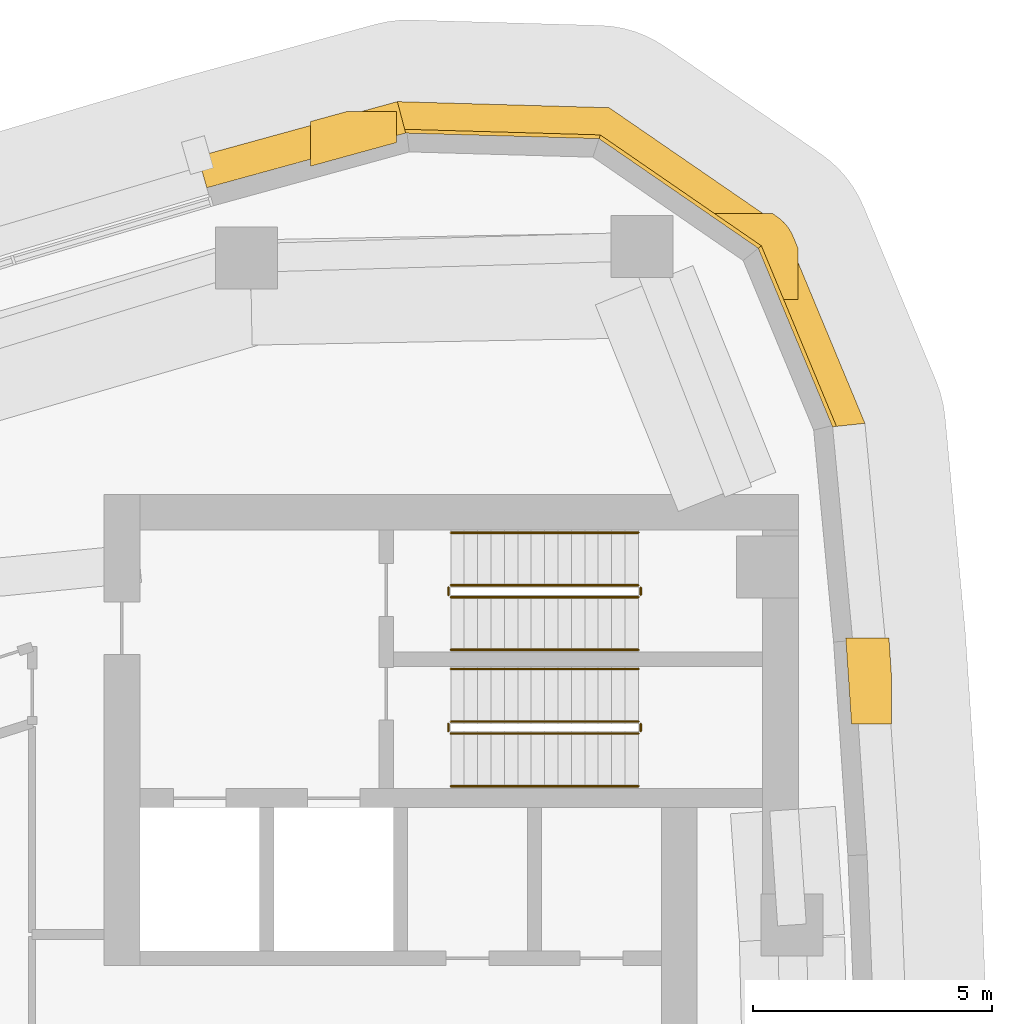
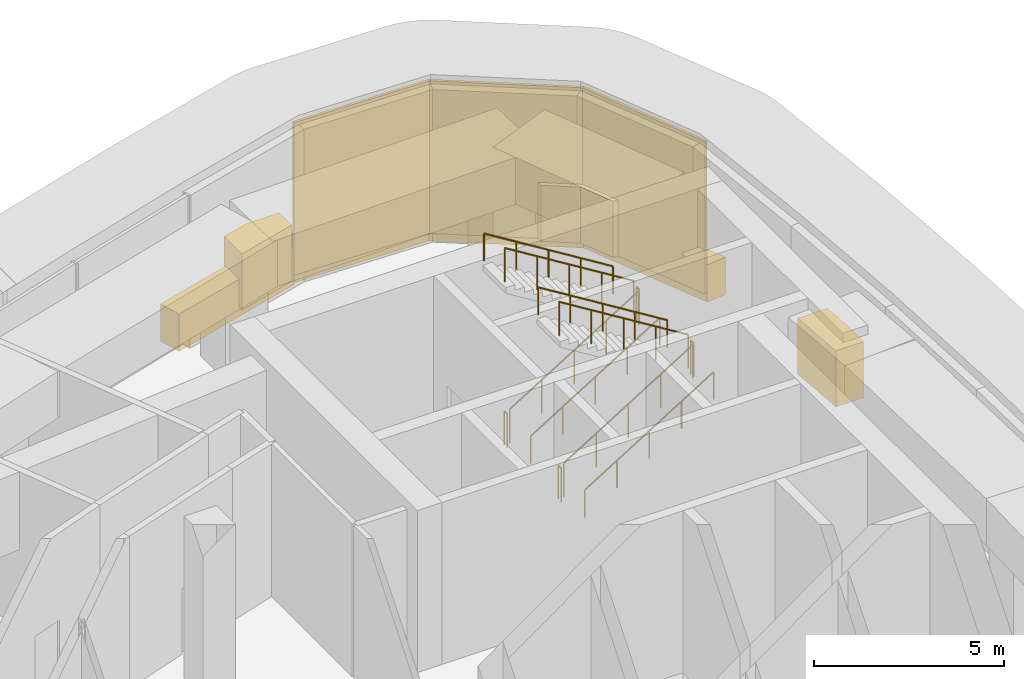
# One storey, part 17 of 17: 12 railings, 8 coverings.
"""IFC4 building model written with IfcOpenShell, lengths in metres."""

from ifc_helpers import new_model, si_unit, direction, frame, origin, origin_2d, place, context, subcontext, project, spatial, polyline, circle, outline, extrude, material, layer, layer_set, type_object, element, save


model = new_model("IFC4")

# Units and contexts
model_context = context("Model", 3, precision=1e-05, world=origin(), true_north=direction((0.0, 1.0)))
body_context = subcontext(model_context, "Body", "Model", "MODEL_VIEW")
ifc_project = project(units=[si_unit("LENGTHUNIT", "METRE"), si_unit("AREAUNIT", "SQUARE_METRE"), si_unit("VOLUMEUNIT", "CUBIC_METRE"), si_unit("PLANEANGLEUNIT", "RADIAN"), si_unit("MASSUNIT", "GRAM", prefix="KILO")], contexts=[model_context])

# Site, building, storey
site_placement = place(None, origin())
site = spatial("IfcSite", under=ifc_project, at=site_placement, CompositionType="ELEMENT")
building_placement = place(site_placement, origin())
building = spatial("IfcBuilding", under=site, at=building_placement, Name="Ostrand Prow Hotel Tower", CompositionType="ELEMENT")
storey_placement = place(building_placement, frame((0.0, 0.0, 211.0)))
storey = spatial("IfcBuildingStorey", under=building, at=storey_placement, Name="L53", CompositionType="ELEMENT", Elevation=211.0)

# Coverings
ifc_material_1 = material(Name="Limestone cladding", Category="masonry")
ifc_layer_1 = layer(ifc_material_1, 2.0)
ifc_layer_set_1 = layer_set([ifc_layer_1], Name="Limestone cladding")
covering_type_1 = type_object("IfcCoveringType", Name="Belt lip limestone", PredefinedType="CLADDING", material=ifc_layer_set_1)
covering_1_placement = place(storey_placement, origin())
element("IfcCovering", 1, at=covering_1_placement, inside=storey, type_object=covering_type_1, Name="Belt fin 12 L53", PredefinedType="CLADDING", context=body_context, shape_type="SweptSolid", body=[
    extrude(outline(polyline([(66.358154296875, 13.49365234375), (66.35791015625, 13.498046875), (65.4541015625, 13.498046875), (65.460205078125, 13.433349609375), (65.576416015625, 11.697998046875), (66.416259765625, 11.697998046875), (66.416259765625, 12.628173828125), (66.358154296875, 13.49365234375)])), origin(), (0.0, 0.0, 1.0), 1.800048828125),
])
covering_2_placement = place(storey_placement, origin())
element("IfcCovering", 2, at=covering_2_placement, inside=storey, type_object=covering_type_1, Name="Belt fin 13 L53", PredefinedType="CLADDING", context=body_context, shape_type="SweptSolid", body=[
    extrude(outline(polyline([(64.029052734375, 22.296875), (63.92626953125, 22.36767578125), (62.655517578125, 22.36767578125), (62.655517578125, 22.149658203125), (63.518798828125, 21.555419921875), (63.9296875, 20.567626953125), (64.455322265625, 20.567626953125), (64.455322265625, 21.6474609375), (64.349853515625, 21.901123046875), (64.31298828125, 21.97900390625), (64.26904296875, 22.052734375), (64.218017578125, 22.122314453125), (64.160888671875, 22.186279296875), (64.09765625, 22.244873046875), (64.029052734375, 22.296875)])), origin(), (0.0, 0.0, 1.0), 1.800048828125),
])
covering_3_placement = place(storey_placement, origin())
element("IfcCovering", 3, at=covering_3_placement, inside=storey, type_object=covering_type_1, Name="Belt fin 14 L53", PredefinedType="CLADDING", context=body_context, shape_type="SweptSolid", body=[
    extrude(outline(polyline([(55.04638671875, 24.50634765625), (54.267822265625, 24.292236328125), (54.267822265625, 23.358642578125), (56.06787109375, 23.853759765625), (56.06787109375, 24.50634765625), (55.04638671875, 24.50634765625)])), origin(), (0.0, 0.0, 1.0), 1.800048828125),
])
ifc_material_2 = material(Name="Bronze anodised aluminium cladding", Category="aluminium")
ifc_layer_2 = layer(ifc_material_2, 0.60009765625)
ifc_layer_set_2 = layer_set([ifc_layer_2], Name="Bronze anodised aluminium cladding")
covering_type_2 = type_object("IfcCoveringType", Name="Bronze spandrel band 1200x600", PredefinedType="CLADDING", material=ifc_layer_set_2)
covering_4_placement = place(storey_placement, frame((0.0, 0.0, -0.300048828125)))
element("IfcCovering", 4, at=covering_4_placement, inside=storey, type_object=covering_type_2, Name="Spandrel band back 4", PredefinedType="CLADDING", context=body_context, shape_type="SweptSolid", body=[
    extrude(outline(polyline([(65.856201171875, 17.98388671875), (64.15625, 22.072021484375), (60.5087890625, 24.581787109375), (56.0830078125, 24.708740234375), (56.236328125, 24.128662109375), (60.322509765625, 24.011474609375), (63.68994140625, 21.694091796875), (65.259765625, 17.919677734375), (65.856201171875, 17.98388671875)])), origin(), (0.0, 0.0, 1.0), 1.199951171875),
])
covering_5_placement = place(storey_placement, frame((0.0, 0.0, -0.300048828125)))
element("IfcCovering", 5, at=covering_5_placement, inside=storey, type_object=covering_type_2, Name="Spandrel band back 5", PredefinedType="CLADDING", context=body_context, shape_type="SweptSolid", body=[
    extrude(outline(polyline([(56.0830078125, 24.708740234375), (51.9130859375, 23.561767578125), (52.10009765625, 22.907958984375), (56.256591796875, 24.05126953125), (56.0830078125, 24.708740234375)])), origin(), (0.0, 0.0, 1.0), 1.199951171875),
])

# Railings
ifc_material_3 = material(Name="Painted steel", Category="steel")
railing_type_1 = type_object("IfcRailingType", Name="Stair guard 1100", PredefinedType="GUARDRAIL", material=ifc_material_3)
railing_1_placement = place(storey_placement, frame((57.199951171875, 11.5, 0.17333984375)))
element("IfcRailing", 6, at=railing_1_placement, inside=storey, type_object=railing_type_1, Name="L53 ST1C stair guard 1", PredefinedType="GUARDRAIL", context=body_context, shape_type="SweptSolid", body=[
    extrude(circle(Radius=0.02392578125, at=origin_2d()), frame((0.0, 0.0, 1.076171875), z_axis=(0.850266275192, 0.0, 0.526352791643), x_axis=(0.0, 1.0, 0.0)), (0.0, 0.0, 1.0), 4.610595703125),
    extrude(circle(Radius=0.02099609375, at=origin_2d()), origin(), (0.0, 0.0, 1.0), 1.052001953125),
    extrude(circle(Radius=0.02099609375, at=origin_2d()), frame((0.97998046875, 0.0, 0.606689453125)), (0.0, 0.0, 1.0), 1.052001953125),
    extrude(circle(Radius=0.02099609375, at=origin_2d()), frame((1.9599609375, 0.0, 1.21337890625)), (0.0, 0.0, 1.0), 1.052001953125),
    extrude(circle(Radius=0.02099609375, at=origin_2d()), frame((2.940185546875, 0.0, 1.820068359375)), (0.0, 0.0, 1.0), 1.052001953125),
    extrude(circle(Radius=0.02099609375, at=origin_2d()), frame((3.920166015625, 0.0, 2.4267578125)), (0.0, 0.0, 1.0), 1.052001953125),
])
railing_2_placement = place(storey_placement, frame((61.169921875, 11.550048828125, 2.60009765625)))
element("IfcRailing", 7, at=railing_2_placement, inside=storey, type_object=railing_type_1, Name="L53 ST1C stair guard 2", PredefinedType="GUARDRAIL", context=body_context, shape_type="SweptSolid", body=[
    extrude(circle(Radius=0.02392578125, at=origin_2d()), frame((0.0, 0.0, 1.076171875), z_axis=(0.0, 1.0, 0.0), x_axis=(-1.0, 0.0, 0.0)), (0.0, 0.0, 1.0), 0.14990234375),
    extrude(circle(Radius=0.02099609375, at=origin_2d()), origin(), (0.0, 0.0, 1.0), 1.052001953125),
    extrude(circle(Radius=0.02099609375, at=origin_2d()), frame((0.0, 0.14990234375, 0.0)), (0.0, 0.0, 1.0), 1.052001953125),
])
railing_3_placement = place(storey_placement, frame((61.1201171875, 11.75, 2.7734375)))
element("IfcRailing", 8, at=railing_3_placement, inside=storey, type_object=railing_type_1, Name="L53 ST1C stair guard 3", PredefinedType="GUARDRAIL", context=body_context, shape_type="SweptSolid", body=[
    extrude(circle(Radius=0.02392578125, at=origin_2d()), frame((0.0, 0.0, 1.076171875), z_axis=(-0.850289973577, 0.0, 0.526314507528), x_axis=(0.0, -1.0, 0.0)), (0.0, 0.0, 1.0), 4.6103515625),
    extrude(circle(Radius=0.02099609375, at=origin_2d()), origin(), (0.0, 0.0, 1.0), 1.052001953125),
    extrude(circle(Radius=0.02099609375, at=origin_2d()), frame((-0.97998046875, 0.0, 0.606689453125)), (0.0, 0.0, 1.0), 1.052001953125),
    extrude(circle(Radius=0.02099609375, at=origin_2d()), frame((-1.9599609375, 0.0, 1.21337890625)), (0.0, 0.0, 1.0), 1.052001953125),
    extrude(circle(Radius=0.02099609375, at=origin_2d()), frame((-2.940185546875, 0.0, 1.81982421875)), (0.0, 0.0, 1.0), 1.052001953125),
    extrude(circle(Radius=0.02099609375, at=origin_2d()), frame((-3.920166015625, 0.0, 2.426513671875)), (0.0, 0.0, 1.0), 1.052001953125),
])
railing_4_placement = place(storey_placement, frame((57.14990234375, 11.550048828125, 0.0)))
element("IfcRailing", 9, at=railing_4_placement, inside=storey, type_object=railing_type_1, Name="L53 ST1C stair guard 4", PredefinedType="GUARDRAIL", context=body_context, shape_type="SweptSolid", body=[
    extrude(circle(Radius=0.02392578125, at=origin_2d()), frame((0.0, 0.0, 1.076171875), z_axis=(0.0, 1.0, 0.0), x_axis=(-1.0, 0.0, 0.0)), (0.0, 0.0, 1.0), 0.14990234375),
    extrude(circle(Radius=0.02099609375, at=origin_2d()), origin(), (0.0, 0.0, 1.0), 1.052001953125),
    extrude(circle(Radius=0.02099609375, at=origin_2d()), frame((0.0, 0.14990234375, 0.0)), (0.0, 0.0, 1.0), 1.052001953125),
])
railing_5_placement = place(storey_placement, frame((57.199951171875, 14.35009765625, 0.17333984375)))
element("IfcRailing", 10, at=railing_5_placement, inside=storey, type_object=railing_type_1, Name="L53 ST3C stair guard 1", PredefinedType="GUARDRAIL", context=body_context, shape_type="SweptSolid", body=[
    extrude(circle(Radius=0.02392578125, at=origin_2d()), frame((0.0, 0.0, 1.076171875), z_axis=(0.850266275192, 0.0, 0.526352791643), x_axis=(0.0, 1.0, 0.0)), (0.0, 0.0, 1.0), 4.610595703125),
    extrude(circle(Radius=0.02099609375, at=origin_2d()), origin(), (0.0, 0.0, 1.0), 1.052001953125),
    extrude(circle(Radius=0.02099609375, at=origin_2d()), frame((0.97998046875, 0.0, 0.606689453125)), (0.0, 0.0, 1.0), 1.052001953125),
    extrude(circle(Radius=0.02099609375, at=origin_2d()), frame((1.9599609375, 0.0, 1.21337890625)), (0.0, 0.0, 1.0), 1.052001953125),
    extrude(circle(Radius=0.02099609375, at=origin_2d()), frame((2.940185546875, 0.0, 1.820068359375)), (0.0, 0.0, 1.0), 1.052001953125),
    extrude(circle(Radius=0.02099609375, at=origin_2d()), frame((3.920166015625, 0.0, 2.4267578125)), (0.0, 0.0, 1.0), 1.052001953125),
])
railing_6_placement = place(storey_placement, frame((61.169921875, 14.39990234375, 2.60009765625)))
element("IfcRailing", 11, at=railing_6_placement, inside=storey, type_object=railing_type_1, Name="L53 ST3C stair guard 2", PredefinedType="GUARDRAIL", context=body_context, shape_type="SweptSolid", body=[
    extrude(circle(Radius=0.02392578125, at=origin_2d()), frame((0.0, 0.0, 1.076171875), z_axis=(0.0, 1.0, 0.0), x_axis=(-1.0, 0.0, 0.0)), (0.0, 0.0, 1.0), 0.150146484375),
    extrude(circle(Radius=0.02099609375, at=origin_2d()), origin(), (0.0, 0.0, 1.0), 1.052001953125),
    extrude(circle(Radius=0.02099609375, at=origin_2d()), frame((0.0, 0.150146484375, 0.0)), (0.0, 0.0, 1.0), 1.052001953125),
])
railing_7_placement = place(storey_placement, frame((61.1201171875, 14.60009765625, 2.7734375)))
element("IfcRailing", 12, at=railing_7_placement, inside=storey, type_object=railing_type_1, Name="L53 ST3C stair guard 3", PredefinedType="GUARDRAIL", context=body_context, shape_type="SweptSolid", body=[
    extrude(circle(Radius=0.02392578125, at=origin_2d()), frame((0.0, 0.0, 1.076171875), z_axis=(-0.850289973577, 0.0, 0.526314507528), x_axis=(0.0, -1.0, 0.0)), (0.0, 0.0, 1.0), 4.6103515625),
    extrude(circle(Radius=0.02099609375, at=origin_2d()), origin(), (0.0, 0.0, 1.0), 1.052001953125),
    extrude(circle(Radius=0.02099609375, at=origin_2d()), frame((-0.97998046875, 0.0, 0.606689453125)), (0.0, 0.0, 1.0), 1.052001953125),
    extrude(circle(Radius=0.02099609375, at=origin_2d()), frame((-1.9599609375, 0.0, 1.21337890625)), (0.0, 0.0, 1.0), 1.052001953125),
    extrude(circle(Radius=0.02099609375, at=origin_2d()), frame((-2.940185546875, 0.0, 1.81982421875)), (0.0, 0.0, 1.0), 1.052001953125),
    extrude(circle(Radius=0.02099609375, at=origin_2d()), frame((-3.920166015625, 0.0, 2.426513671875)), (0.0, 0.0, 1.0), 1.052001953125),
])
railing_8_placement = place(storey_placement, frame((57.14990234375, 14.39990234375, 0.0)))
element("IfcRailing", 13, at=railing_8_placement, inside=storey, type_object=railing_type_1, Name="L53 ST3C stair guard 4", PredefinedType="GUARDRAIL", context=body_context, shape_type="SweptSolid", body=[
    extrude(circle(Radius=0.02392578125, at=origin_2d()), frame((0.0, 0.0, 1.076171875), z_axis=(0.0, 1.0, 0.0), x_axis=(-1.0, 0.0, 0.0)), (0.0, 0.0, 1.0), 0.150146484375),
    extrude(circle(Radius=0.02099609375, at=origin_2d()), origin(), (0.0, 0.0, 1.0), 1.052001953125),
    extrude(circle(Radius=0.02099609375, at=origin_2d()), frame((0.0, 0.150146484375, 0.0)), (0.0, 0.0, 1.0), 1.052001953125),
])
ifc_material_4 = material(Name="Stainless steel", Category="steel")
railing_type_2 = type_object("IfcRailingType", Name="Stair handrail 900", PredefinedType="HANDRAIL", material=ifc_material_4)
railing_9_placement = place(storey_placement, frame((57.199951171875, 10.39990234375, 0.17333984375)))
element("IfcRailing", 14, at=railing_9_placement, inside=storey, type_object=railing_type_2, Name="L53 ST1C stair handrail 1", PredefinedType="HANDRAIL", context=body_context, shape_type="SweptSolid", body=[
    extrude(circle(Radius=0.02392578125, at=origin_2d()), frame((0.0, 0.0, 0.8759765625), z_axis=(0.850266275192, 0.0, 0.526352791643), x_axis=(0.0, 1.0, 0.0)), (0.0, 0.0, 1.0), 4.610595703125),
    extrude(circle(Radius=0.02099609375, at=origin_2d()), origin(), (0.0, 0.0, 1.0), 0.851806640625),
    extrude(circle(Radius=0.02099609375, at=origin_2d()), frame((0.97998046875, 0.0, 0.606689453125)), (0.0, 0.0, 1.0), 0.851806640625),
    extrude(circle(Radius=0.02099609375, at=origin_2d()), frame((1.9599609375, 0.0, 1.21337890625)), (0.0, 0.0, 1.0), 0.851806640625),
    extrude(circle(Radius=0.02099609375, at=origin_2d()), frame((2.940185546875, 0.0, 1.820068359375)), (0.0, 0.0, 1.0), 0.851806640625),
    extrude(circle(Radius=0.02099609375, at=origin_2d()), frame((3.920166015625, 0.0, 2.4267578125)), (0.0, 0.0, 1.0), 0.851806640625),
])
railing_10_placement = place(storey_placement, frame((61.1201171875, 12.85009765625, 2.7734375)))
element("IfcRailing", 15, at=railing_10_placement, inside=storey, type_object=railing_type_2, Name="L53 ST1C stair handrail 2", PredefinedType="HANDRAIL", context=body_context, shape_type="SweptSolid", body=[
    extrude(circle(Radius=0.02392578125, at=origin_2d()), frame((0.0, 0.0, 0.8759765625), z_axis=(-0.850289973577, 0.0, 0.526314507528), x_axis=(0.0, -1.0, 0.0)), (0.0, 0.0, 1.0), 4.6103515625),
    extrude(circle(Radius=0.02099609375, at=origin_2d()), origin(), (0.0, 0.0, 1.0), 0.851806640625),
    extrude(circle(Radius=0.02099609375, at=origin_2d()), frame((-0.97998046875, 0.0, 0.606689453125)), (0.0, 0.0, 1.0), 0.851806640625),
    extrude(circle(Radius=0.02099609375, at=origin_2d()), frame((-1.9599609375, 0.0, 1.21337890625)), (0.0, 0.0, 1.0), 0.851806640625),
    extrude(circle(Radius=0.02099609375, at=origin_2d()), frame((-2.940185546875, 0.0, 1.81982421875)), (0.0, 0.0, 1.0), 0.851806640625),
    extrude(circle(Radius=0.02099609375, at=origin_2d()), frame((-3.920166015625, 0.0, 2.426513671875)), (0.0, 0.0, 1.0), 0.851806640625),
])
railing_11_placement = place(storey_placement, frame((57.199951171875, 13.25, 0.17333984375)))
element("IfcRailing", 16, at=railing_11_placement, inside=storey, type_object=railing_type_2, Name="L53 ST3C stair handrail 1", PredefinedType="HANDRAIL", context=body_context, shape_type="SweptSolid", body=[
    extrude(circle(Radius=0.02392578125, at=origin_2d()), frame((0.0, 0.0, 0.8759765625), z_axis=(0.850266275192, 0.0, 0.526352791643), x_axis=(0.0, 1.0, 0.0)), (0.0, 0.0, 1.0), 4.610595703125),
    extrude(circle(Radius=0.02099609375, at=origin_2d()), origin(), (0.0, 0.0, 1.0), 0.851806640625),
    extrude(circle(Radius=0.02099609375, at=origin_2d()), frame((0.97998046875, 0.0, 0.606689453125)), (0.0, 0.0, 1.0), 0.851806640625),
    extrude(circle(Radius=0.02099609375, at=origin_2d()), frame((1.9599609375, 0.0, 1.21337890625)), (0.0, 0.0, 1.0), 0.851806640625),
    extrude(circle(Radius=0.02099609375, at=origin_2d()), frame((2.940185546875, 0.0, 1.820068359375)), (0.0, 0.0, 1.0), 0.851806640625),
    extrude(circle(Radius=0.02099609375, at=origin_2d()), frame((3.920166015625, 0.0, 2.4267578125)), (0.0, 0.0, 1.0), 0.851806640625),
])
railing_12_placement = place(storey_placement, frame((61.1201171875, 15.699951171875, 2.7734375)))
element("IfcRailing", 17, at=railing_12_placement, inside=storey, type_object=railing_type_2, Name="L53 ST3C stair handrail 2", PredefinedType="HANDRAIL", context=body_context, shape_type="SweptSolid", body=[
    extrude(circle(Radius=0.02392578125, at=origin_2d()), frame((0.0, 0.0, 0.8759765625), z_axis=(-0.850289973577, 0.0, 0.526314507528), x_axis=(0.0, -1.0, 0.0)), (0.0, 0.0, 1.0), 4.6103515625),
    extrude(circle(Radius=0.02099609375, at=origin_2d()), origin(), (0.0, 0.0, 1.0), 0.851806640625),
    extrude(circle(Radius=0.02099609375, at=origin_2d()), frame((-0.97998046875, 0.0, 0.606689453125)), (0.0, 0.0, 1.0), 0.851806640625),
    extrude(circle(Radius=0.02099609375, at=origin_2d()), frame((-1.9599609375, 0.0, 1.21337890625)), (0.0, 0.0, 1.0), 0.851806640625),
    extrude(circle(Radius=0.02099609375, at=origin_2d()), frame((-2.940185546875, 0.0, 1.81982421875)), (0.0, 0.0, 1.0), 0.851806640625),
    extrude(circle(Radius=0.02099609375, at=origin_2d()), frame((-3.920166015625, 0.0, 2.426513671875)), (0.0, 0.0, 1.0), 0.851806640625),
])

# Coverings
ifc_material_5 = material(Name="Limestone cladding", Category="masonry")
ifc_layer_3 = layer(ifc_material_5, 0.080078125)
ifc_layer_set_3 = layer_set([ifc_layer_3], Name="Limestone cladding")
covering_type_3 = type_object("IfcCoveringType", Name="Warm limestone cladding 80 mm", PredefinedType="CLADDING", material=ifc_layer_set_3)
covering_6_placement = place(storey_placement, frame((65.219970703125, 17.91552734375, 0.0), z_axis=(0.0, 0.0, 1.0), x_axis=(-0.384009748376, 0.9233290384, 0.0)))
element("IfcCovering", 18, at=covering_6_placement, inside=storey, type_object=covering_type_3, Name="Limestone cladding back 13", PredefinedType="CLADDING", context=body_context, shape_type="SweptSolid", body=[
    extrude(outline(polyline([(-0.006103515625, -0.0400390625), (4.076904296875, -0.0400390625), (4.053466796875, 0.0400390625), (0.006103515625, 0.0400390625), (-0.006103515625, -0.0400390625)])), origin(), (0.0, 0.0, 1.0), 4.89990234375),
])
covering_7_placement = place(storey_placement, frame((63.658935546875, 21.6689453125, 0.0), z_axis=(0.0, 0.0, 1.0), x_axis=(-0.823801781542, 0.566877962818, 0.0)))
element("IfcCovering", 19, at=covering_7_placement, inside=storey, type_object=covering_type_3, Name="Limestone cladding back 14", PredefinedType="CLADDING", context=body_context, shape_type="SweptSolid", body=[
    extrude(outline(polyline([(-0.01171875, -0.0400390625), (4.076904296875, -0.0400390625), (4.053466796875, 0.0400390625), (0.01171875, 0.0400390625), (-0.01171875, -0.0400390625)])), origin(), (0.0, 0.0, 1.0), 4.89990234375),
])
covering_8_placement = place(storey_placement, frame((60.31005859375, 23.973388671875, 0.0), z_axis=(0.0, 0.0, 1.0), x_axis=(-0.999589584341, 0.028647214115, 0.0)))
element("IfcCovering", 20, at=covering_8_placement, inside=storey, type_object=covering_type_3, Name="Limestone cladding back 15", PredefinedType="CLADDING", context=body_context, shape_type="SweptSolid", body=[
    extrude(outline(polyline([(-0.01171875, -0.0400390625), (4.0712890625, -0.0400390625), (4.05908203125, 0.0400390625), (0.01171875, 0.0400390625), (-0.01171875, -0.0400390625)])), origin(), (0.0, 0.0, 1.0), 4.89990234375),
])

save(model, "model.ifc")
